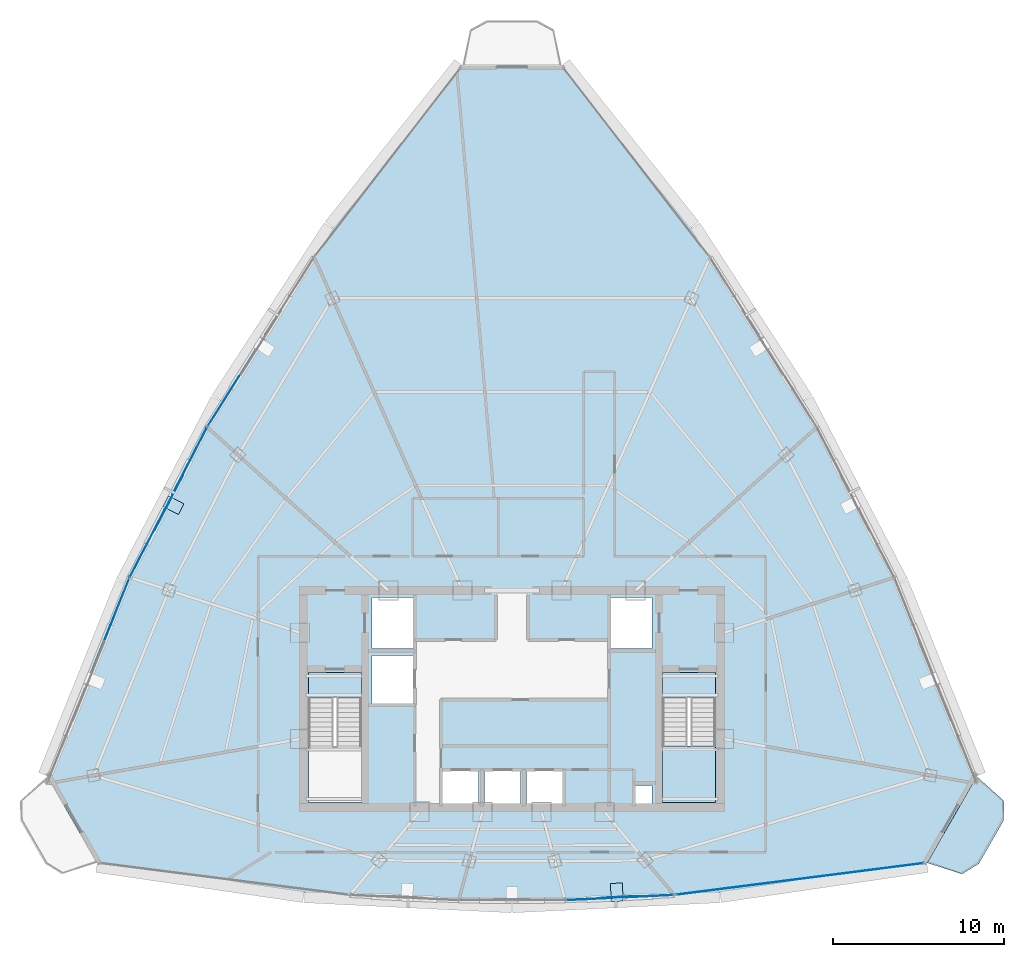
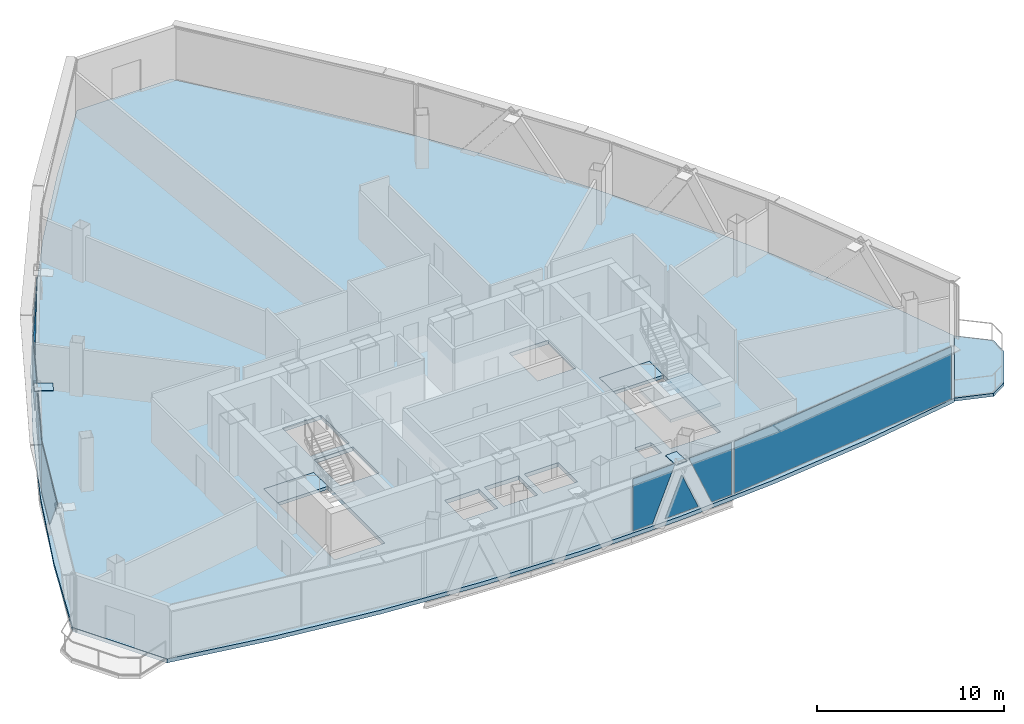
# One storey, part 23 of 30: 11 plates, 5 slabs, 7 elements without a shape of their own.
"""IFC4 building model written with IfcOpenShell, lengths in metres."""

from ifc_helpers import new_model, si_unit, direction, frame, origin, origin_2d, place, context, subcontext, project, spatial, polyline, rectangle, outline, extrude, source, transform, mapped, material, layer, layer_set, type_object, element, aggregate, save


model = new_model("IFC4")

# Units and contexts
model_context = context("Model", 3, precision=1e-05, world=origin(), true_north=direction((0.0, 1.0)))
body_context = subcontext(model_context, "Body", "Model", "MODEL_VIEW")
ifc_project = project(units=[si_unit("LENGTHUNIT", "METRE"), si_unit("AREAUNIT", "SQUARE_METRE"), si_unit("VOLUMEUNIT", "CUBIC_METRE"), si_unit("PLANEANGLEUNIT", "RADIAN"), si_unit("MASSUNIT", "GRAM", prefix="KILO"), si_unit("THERMODYNAMICTEMPERATUREUNIT", "KELVIN"), si_unit("POWERUNIT", "WATT")], contexts=[model_context])

# Site, building, storey
site_placement = place(None, origin())
site = spatial("IfcSite", under=ifc_project, at=site_placement, CompositionType="ELEMENT")
building_placement = place(site_placement, origin())
building = spatial("IfcBuilding", under=site, at=building_placement, Name="Yunzhuo Pagoda Commons", CompositionType="ELEMENT")
storey_placement = place(building_placement, frame((0.0, 0.0, 355.510009765625)))
storey = spatial("IfcBuildingStorey", under=building, at=storey_placement, Name="L89", CompositionType="ELEMENT", Elevation=355.510009765625)

# Curtain wall, plates
ifc_material_1 = material(Name="Anodized aluminium 6063-T6", Category="aluminium")
ifc_layer_1 = layer(ifc_material_1, 0.139892578125)
ifc_layer_set_1 = layer_set([ifc_layer_1], Name="Anodized aluminium 6063-T6")
curtain_wall_type = type_object("IfcCurtainWallType", Name="CW-HI High-Zone Ribbon Curtain Wall", PredefinedType="NOTDEFINED", material=ifc_layer_set_1)
curtain_wall_1_placement = place(storey_placement, origin())
curtain_wall_1 = element("IfcCurtainWall", 1, at=curtain_wall_1_placement, inside=storey, type_object=curtain_wall_type, Name="L89 curtain wall CW-L89-F1B4", PredefinedType="NOTDEFINED")
ifc_material_2 = material(Name="Tempered low-e double glazing", Category="glass")
ifc_layer_2 = layer(ifc_material_2, 0.02587890625)
ifc_layer_set_2 = layer_set([ifc_layer_2], Name="Tempered low-e double glazing")
plate_type_1 = type_object("IfcPlateType", Name="CW-HI-P Low-E Double Glazing 26", PredefinedType="CURTAIN_PANEL", material=ifc_layer_set_2)
plate_1_placement = place(storey_placement, frame((52.516845703125, 22.1689453125, 1.744873046875), z_axis=(0.047859147719, -0.99885409444, 0.0), x_axis=(0.99885409444, 0.047859147719, 0.0)))
plate_1 = element("IfcPlate", 2, at=plate_1_placement, type_object=plate_type_1, Name="CW panel 1.1 lite 1", PredefinedType="CURTAIN_PANEL", context=body_context, shape_type="SweptSolid", body=[
    extrude(outline(polyline([(-1.34765625, -1.68994140625), (-0.0908203125, -1.68994140625), (1.34765625, 1.68994140625), (-1.34765625, 1.68994140625), (-1.34765625, -1.68994140625)])), origin(), (0.0, 0.0, 1.0), 0.028076171875),
])
plate_2_placement = place(storey_placement, frame((54.29736328125, 22.284423828125, 1.287353515625), z_axis=(0.047859147719, -0.99885409444, 0.0), x_axis=(0.99885409444, 0.047859147719, 0.0)))
plate_2 = element("IfcPlate", 3, at=plate_2_placement, type_object=plate_type_1, Name="CW panel 1.1 lite 2", PredefinedType="CURTAIN_PANEL", context=body_context, shape_type="SweptSolid", body=[
    extrude(outline(polyline([(-1.048828125, -1.232421875), (1.048828125, -1.232421875), (0.0, 1.232421875), (-1.048828125, -1.232421875)])), origin(), (0.0, 0.0, 1.0), 0.028076171875),
])
plate_3_placement = place(storey_placement, frame((56.080810546875, 22.339599609375, 1.744873046875), z_axis=(0.047859147719, -0.99885409444, 0.0), x_axis=(0.99885409444, 0.047859147719, 0.0)))
plate_3 = element("IfcPlate", 4, at=plate_3_placement, type_object=plate_type_1, Name="CW panel 1.1 lite 3", PredefinedType="CURTAIN_PANEL", context=body_context, shape_type="SweptSolid", body=[
    extrude(outline(polyline([(-1.34765625, 1.68994140625), (0.0908203125, -1.68994140625), (1.34765625, -1.68994140625), (1.34765625, 1.68994140625), (-1.34765625, 1.68994140625)])), origin(), (0.0, 0.0, 1.0), 0.028076171875),
])
aggregate(curtain_wall_1, [plate_1, plate_2, plate_3])

# Curtain wall, plate
curtain_wall_2_placement = place(storey_placement, origin())
curtain_wall_2 = element("IfcCurtainWall", 5, at=curtain_wall_2_placement, inside=storey, type_object=curtain_wall_type, Name="L89 curtain wall CW-L89-F3B2", PredefinedType="NOTDEFINED")
plate_4_placement = place(storey_placement, frame((31.62646484375, 52.030029296875, 1.744873046875), z_axis=(-0.846524621891, 0.532349569861, 0.0), x_axis=(-0.532349569861, -0.846524621891, 0.0)))
plate_4 = element("IfcPlate", 6, at=plate_4_placement, type_object=plate_type_1, Name="CW panel 1.1 lite 3", PredefinedType="CURTAIN_PANEL", context=body_context, shape_type="SweptSolid", body=[
    extrude(outline(polyline([(-2.643310546875, 1.68994140625), (0.003173828125, -1.68994140625), (2.643310546875, -1.68994140625), (2.643310546875, 1.68994140625), (-2.643310546875, 1.68994140625)])), origin(), (0.0, 0.0, 1.0), 0.028076171875),
])
aggregate(curtain_wall_2, [plate_4])

# Curtain wall, plates
curtain_wall_3_placement = place(storey_placement, origin())
curtain_wall_3 = element("IfcCurtainWall", 7, at=curtain_wall_3_placement, inside=storey, type_object=curtain_wall_type, Name="L89 curtain wall CW-L89-F3B3", PredefinedType="NOTDEFINED")
plate_5_placement = place(storey_placement, frame((29.154541015625, 47.738037109375, 1.744873046875), z_axis=(-0.888845723113, 0.458206591511, 0.0), x_axis=(-0.458206591511, -0.888845723113, 0.0)))
plate_5 = element("IfcPlate", 8, at=plate_5_placement, type_object=plate_type_1, Name="CW panel 1.1 lite 1", PredefinedType="CURTAIN_PANEL", context=body_context, shape_type="SweptSolid", body=[
    extrude(outline(polyline([(-2.195556640625, -1.68994140625), (-0.031982421875, -1.68994140625), (2.195556640625, 1.68994140625), (-2.195556640625, 1.68994140625), (-2.195556640625, -1.68994140625)])), origin(), (0.0, 0.0, 1.0), 0.028076171875),
])
plate_6_placement = place(storey_placement, frame((27.949951171875, 45.336181640625, 1.42724609375), z_axis=(-0.888845723113, 0.458206591511, 0.0), x_axis=(-0.458206591511, -0.888845723113, 0.0)))
plate_6 = element("IfcPlate", 9, at=plate_6_placement, type_object=plate_type_1, Name="CW panel 1.1 lite 2", PredefinedType="CURTAIN_PANEL", context=body_context, shape_type="SweptSolid", body=[
    extrude(outline(polyline([(-1.80859375, -1.372314453125), (1.80859375, -1.372314453125), (0.0, 1.372314453125), (-1.80859375, -1.372314453125)])), origin(), (0.0, 0.0, 1.0), 0.028076171875),
])
plate_7_placement = place(storey_placement, frame((26.692138671875, 42.961669921875, 1.744873046875), z_axis=(-0.888845723113, 0.458206591511, 0.0), x_axis=(-0.458206591511, -0.888845723113, 0.0)))
plate_7 = element("IfcPlate", 10, at=plate_7_placement, type_object=plate_type_1, Name="CW panel 1.1 lite 3", PredefinedType="CURTAIN_PANEL", context=body_context, shape_type="SweptSolid", body=[
    extrude(outline(polyline([(-2.195556640625, 1.68994140625), (0.031982421875, -1.68994140625), (2.195556640625, -1.68994140625), (2.195556640625, 1.68994140625), (-2.195556640625, 1.68994140625)])), origin(), (0.0, 0.0, 1.0), 0.028076171875),
])
aggregate(curtain_wall_3, [plate_5, plate_6, plate_7])

# Curtain wall, plate
curtain_wall_4_placement = place(storey_placement, origin())
curtain_wall_4 = element("IfcCurtainWall", 11, at=curtain_wall_4_placement, inside=storey, type_object=curtain_wall_type, Name="L89 curtain wall CW-L89-F3B4", PredefinedType="NOTDEFINED")
plate_8_placement = place(storey_placement, frame((24.54052734375, 38.171142578125, 1.744873046875), z_axis=(-0.92803921175, 0.372482511608, 0.0), x_axis=(-0.372482511608, -0.92803921175, 0.0)))
plate_8 = element("IfcPlate", 12, at=plate_8_placement, type_object=plate_type_1, Name="CW panel 1.1 lite 1", PredefinedType="CURTAIN_PANEL", context=body_context, shape_type="SweptSolid", body=[
    extrude(outline(polyline([(-2.943115234375, -1.68994140625), (0.01513671875, -1.68994140625), (2.943115234375, 1.68994140625), (-2.943115234375, 1.68994140625), (-2.943115234375, -1.68994140625)])), origin(), (0.0, 0.0, 1.0), 0.028076171875),
])
aggregate(curtain_wall_4, [plate_8])

# Slab
ifc_material_3 = material(Name="Concrete C40", Category="concrete")
ifc_layer_3 = layer(ifc_material_3, 0.199951171875)
ifc_layer_set_3 = layer_set([ifc_layer_3], Name="Concrete C40")
slab_type_1 = type_object("IfcSlabType", Name="SL-BAL Vertex Balcony Deck Slab 200", PredefinedType="FLOOR", material=ifc_layer_set_3)
slab_1_placement = place(storey_placement, frame((0.0, 0.0, -0.199951171875)))
element("IfcSlab", 13, at=slab_1_placement, inside=storey, type_object=slab_type_1, Name="L89 corner balcony V2", PredefinedType="FLOOR", context=body_context, shape_type="SweptSolid", body=[
    extrude(outline(polyline([(72.277587890625, 24.274658203125), (75.1767578125, 29.323974609375), (76.76953125, 27.890625), (76.74560546875, 26.74462890625), (75.296142578125, 24.219970703125), (74.318359375, 23.62158203125), (72.277587890625, 24.274658203125)])), origin(), (0.0, 0.0, 1.0), 0.199951171875),
])

# Stair, slab
stair_type_1 = type_object("IfcStairType", Name="ST-C1 Core Smokeproof Stair ST1", PredefinedType="HALF_TURN_STAIR", material=ifc_material_3)
stair_1_placement = place(storey_placement, origin())
stair_1 = element("IfcStair", 14, at=stair_1_placement, inside=storey, type_object=stair_type_1, Name="L89 Core smokeproof stair ST1", PredefinedType="HALF_TURN_STAIR")
ifc_layer_4 = layer(ifc_material_3, 0.199951171875)
ifc_layer_set_4 = layer_set([ifc_layer_4], Name="Concrete C40")
slab_type_2 = type_object("IfcSlabType", Name="SL-LND1 Stair Landing Slab 200", PredefinedType="LANDING", material=ifc_layer_set_4)
slab_2_placement = place(storey_placement, frame((0.0, 0.0, -0.199951171875)))
slab_2 = element("IfcSlab", 15, at=slab_2_placement, type_object=slab_type_2, Name="ST1 floor landing L89", PredefinedType="LANDING", context=body_context, shape_type="SweptSolid", body=[
    extrude(outline(polyline([(36.10009765625, 35.39990234375), (36.10009765625, 33.89990234375), (39.199951171875, 33.89990234375), (39.199951171875, 35.39990234375), (36.10009765625, 35.39990234375)])), origin(), (0.0, 0.0, 1.0), 0.199951171875),
])
aggregate(stair_1, [slab_2])

# Stair, slabs
stair_type_2 = type_object("IfcStairType", Name="ST-C2 Core Smokeproof Stair ST2", PredefinedType="HALF_TURN_STAIR", material=ifc_material_3)
stair_2_placement = place(storey_placement, origin())
stair_2 = element("IfcStair", 16, at=stair_2_placement, inside=storey, type_object=stair_type_2, Name="L89 Core smokeproof stair ST2", PredefinedType="HALF_TURN_STAIR")
ifc_layer_5 = layer(ifc_material_3, 0.201904296875)
ifc_layer_set_5 = layer_set([ifc_layer_5], Name="Concrete C40")
slab_type_3 = type_object("IfcSlabType", Name="SL-LND2 Stair Landing Slab 202", PredefinedType="LANDING", material=ifc_layer_set_5)
slab_3_placement = place(storey_placement, frame((0.0, 0.0, 1.675048828125)))
slab_3 = element("IfcSlab", 17, at=slab_3_placement, type_object=slab_type_3, Name="ST2 landing 1", PredefinedType="LANDING", context=body_context, shape_type="SweptSolid", body=[
    extrude(outline(polyline([(56.800048828125, 31.10009765625), (56.800048828125, 27.800048828125), (59.89990234375, 27.800048828125), (59.89990234375, 31.10009765625), (56.800048828125, 31.10009765625)])), origin(), (0.0, 0.0, 1.0), 0.199951171875),
])
slab_4_placement = place(storey_placement, frame((0.0, 0.0, -0.199951171875)))
slab_4 = element("IfcSlab", 18, at=slab_4_placement, type_object=slab_type_3, Name="ST2 floor landing L89", PredefinedType="LANDING", context=body_context, shape_type="SweptSolid", body=[
    extrude(outline(polyline([(56.800048828125, 35.39990234375), (56.800048828125, 33.89990234375), (59.89990234375, 33.89990234375), (59.89990234375, 35.39990234375), (56.800048828125, 35.39990234375)])), origin(), (0.0, 0.0, 1.0), 0.199951171875),
])
aggregate(stair_2, [slab_3, slab_4])

# Slab
ifc_layer_6 = layer(ifc_material_3, 0.260009765625)
ifc_layer_set_6 = layer_set([ifc_layer_6], Name="Concrete C40")
slab_type_4 = type_object("IfcSlabType", Name="SL-TWR Typical Tower Floor Slab 260", PredefinedType="FLOOR", material=ifc_layer_set_6)
slab_5_placement = place(storey_placement, frame((0.0, 0.0, -0.260009765625)))
element("IfcSlab", 19, at=slab_5_placement, inside=storey, type_object=slab_type_4, Name="L89 structural floor slab", PredefinedType="FLOOR", context=body_context, shape_type="SweptSolid", body=[
    extrude(outline(polyline([(22.96923828125, 35.04541015625), (25.36572265625, 40.615234375), (28.017333984375, 46.036376953125), (30.924072265625, 51.30859375), (34.085693359375, 56.43212890625), (37.50244140625, 61.406494140625), (41.174072265625, 66.232177734375), (45.100830078125, 70.908935546875), (50.899169921875, 70.908935546875), (54.825927734375, 66.232177734375), (58.49755859375, 61.406494140625), (61.914306640625, 56.43212890625), (65.075927734375, 51.30859375), (67.982666015625, 46.036376953125), (70.63427734375, 40.615234375), (73.03076171875, 35.04541015625), (75.17236328125, 29.326416015625), (72.273193359375, 24.277099609375), (66.204833984375, 23.24365234375), (60.13671875, 22.50537109375), (54.068359375, 22.0625), (48.0, 21.914794921875), (41.931640625, 22.0625), (35.86328125, 22.50537109375), (29.795166015625, 23.24365234375), (23.726806640625, 24.277099609375), (20.82763671875, 29.326416015625), (22.96923828125, 35.04541015625)]), holes=[polyline([(56.179931640625, 28.800048828125), (55.179931640625, 28.800048828125), (55.179931640625, 27.699951171875), (56.179931640625, 27.699951171875), (56.179931640625, 28.800048828125)]), polyline([(46.050048828125, 29.64990234375), (43.949951171875, 29.64990234375), (43.949951171875, 27.60009765625), (46.050048828125, 27.60009765625), (46.050048828125, 29.64990234375)]), polyline([(48.5, 29.64990234375), (46.39990234375, 29.64990234375), (46.39990234375, 27.60009765625), (48.5, 27.60009765625), (48.5, 29.64990234375)]), polyline([(50.949951171875, 29.64990234375), (48.85009765625, 29.64990234375), (48.85009765625, 27.60009765625), (50.949951171875, 27.60009765625), (50.949951171875, 29.64990234375)]), polyline([(39.199951171875, 27.800048828125), (39.199951171875, 35.39990234375), (36.10009765625, 35.39990234375), (36.10009765625, 27.800048828125), (39.199951171875, 27.800048828125)]), polyline([(59.89990234375, 27.800048828125), (59.89990234375, 35.39990234375), (56.800048828125, 35.39990234375), (56.800048828125, 27.800048828125), (59.89990234375, 27.800048828125)]), polyline([(42.199951171875, 36.39990234375), (39.800048828125, 36.39990234375), (39.800048828125, 33.60009765625), (42.199951171875, 33.60009765625), (42.199951171875, 36.39990234375)]), polyline([(42.199951171875, 36.800048828125), (42.199951171875, 39.800048828125), (39.800048828125, 39.800048828125), (39.800048828125, 36.800048828125), (42.199951171875, 36.800048828125)]), polyline([(56.199951171875, 36.800048828125), (56.199951171875, 39.800048828125), (53.800048828125, 39.800048828125), (53.800048828125, 36.800048828125), (56.199951171875, 36.800048828125)])]), origin(), (0.0, 0.0, 1.0), 0.260009765625),
])

# Plates
ifc_material_4 = material(Name="Structural steel Q355B", Category="steel")
ifc_layer_7 = layer(ifc_material_4, 0.028076171875)
ifc_layer_set_7 = layer_set([ifc_layer_7], Name="Structural steel Q355B")
plate_type_2 = type_object("IfcPlateType", Name="SP-ND1 Lattice Node Cap Plate 800x500x28", PredefinedType="USERDEFINED", material=ifc_layer_set_7)
shared_shape_1 = source(origin(), body_context, "Body", "SweptSolid", [
    extrude(rectangle(XDim=0.699951171875, YDim=1.061279296875, at=origin_2d()), origin(), (0.0, 0.0, 1.0), 0.035888671875),
])
plate_9_placement = place(storey_placement, frame((54.12841796875, 22.552490234375, 3.4521484375), z_axis=(0.0, 0.0, 1.0), x_axis=(0.998854240665, 0.047856095812, 0.0)))
element("IfcPlate", 20, at=plate_9_placement, inside=storey, type_object=plate_type_2, Name="L89 setback lattice tie plate F1.3L", ObjectType="STIFFENER_PLATE", PredefinedType="USERDEFINED", context=body_context, shape_type="MappedRepresentation", body=[
    mapped(shared_shape_1, transform((0.0, 0.0, 0.0), scale=1.0)),
])
shared_shape_2 = source(origin(), body_context, "Body", "SweptSolid", [
    extrude(rectangle(XDim=0.699951171875, YDim=1.01953125, at=origin_2d()), origin(), (0.0, 0.0, 1.0), 0.035888671875),
])
plate_10_placement = place(storey_placement, frame((28.20068359375, 45.188720703125, 3.4521484375), z_axis=(0.0, 0.0, 1.0), x_axis=(-0.458199726156, -0.888849262221, 0.0)))
element("IfcPlate", 21, at=plate_10_placement, inside=storey, type_object=plate_type_2, Name="L89 setback lattice tie plate F3.2L", ObjectType="STIFFENER_PLATE", PredefinedType="USERDEFINED", context=body_context, shape_type="MappedRepresentation", body=[
    mapped(shared_shape_2, transform((0.0, 0.0, 0.0), scale=1.0)),
])

# Curtain wall, plate
curtain_wall_5_placement = place(storey_placement, origin())
curtain_wall_5 = element("IfcCurtainWall", 22, at=curtain_wall_5_placement, inside=storey, type_object=curtain_wall_type, Name="L89 curtain wall CW-L89-F1B5", PredefinedType="NOTDEFINED")
shared_shape_3 = source(origin(), body_context, "Body", "SweptSolid", [
    extrude(rectangle(XDim=14.54931640625, YDim=0.028076171875, at=origin_2d()), origin(), (0.0, 0.0, 1.0), 3.3798828125),
])
plate_11_placement = place(storey_placement, frame((64.837646484375, 23.3310546875, 0.054931640625), z_axis=(0.0, 0.0, 1.0), x_axis=(0.991957593696, 0.126570661327, 0.0)))
plate_11 = element("IfcPlate", 23, at=plate_11_placement, type_object=plate_type_1, Name="CW panel 1.1", PredefinedType="CURTAIN_PANEL", context=body_context, shape_type="MappedRepresentation", body=[
    mapped(shared_shape_3, transform((0.0, 0.0, 0.0), scale=1.0)),
])
aggregate(curtain_wall_5, [plate_11])

save(model, "model.ifc")
